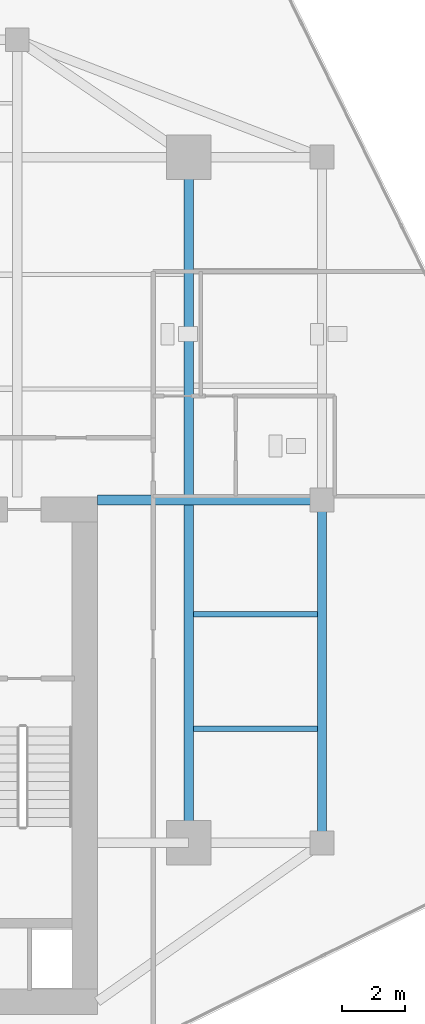
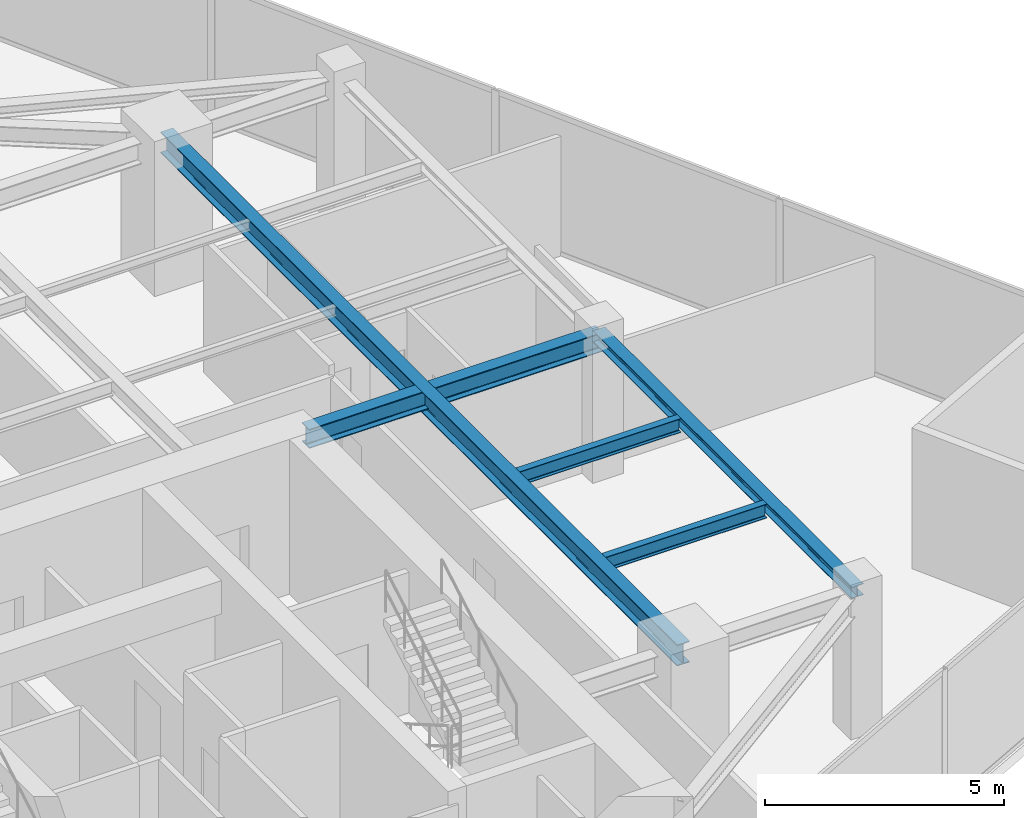
# One storey, part 9 of 22: 5 beams.
"""IFC4 building model written with IfcOpenShell, lengths in metres."""

from ifc_helpers import new_model, si_unit, direction, frame, origin, origin_2d, place, context, subcontext, project, spatial, i_section, extrude, source, transform, mapped, material, material_profile, profile_set, type_object, type_shapes, element, save


model = new_model("IFC4")

# Units and contexts
model_context = context("Model", 3, precision=1e-05, world=origin(), true_north=direction((0.0, 1.0)))
body_context = subcontext(model_context, "Body", "Model", "MODEL_VIEW")
ifc_project = project(units=[si_unit("LENGTHUNIT", "METRE"), si_unit("AREAUNIT", "SQUARE_METRE"), si_unit("VOLUMEUNIT", "CUBIC_METRE"), si_unit("PLANEANGLEUNIT", "RADIAN"), si_unit("MASSUNIT", "GRAM", prefix="KILO")], contexts=[model_context])

# Site, building, storey
site_placement = place(None, origin())
site = spatial("IfcSite", under=ifc_project, at=site_placement, CompositionType="ELEMENT")
building_placement = place(site_placement, origin())
building = spatial("IfcBuilding", under=site, at=building_placement, Name="Krantzveldt Concourse Tower", CompositionType="ELEMENT")
storey_placement = place(building_placement, frame((0.0, 0.0, 314.800048828125)))
storey = spatial("IfcBuildingStorey", under=building, at=storey_placement, Name="L77", CompositionType="ELEMENT", Elevation=314.800048828125)

# Beams
ifc_material = material(Name="Steel S355JR", Category="steel")
ifc_material_profile_1 = material_profile(ifc_material, i_section(OverallWidth=0.300048828125, OverallDepth=0.489990234375, WebThickness=0.011962890625, FlangeThickness=0.02294921875, FilletRadius=0.027099609375, at=origin_2d()), Name="Steel S355JR", Category="steel")
ifc_profile_set_1 = profile_set([ifc_material_profile_1], Name="Steel S355JR - HEA 500")
beam_type_1 = type_object("IfcBeamType", Name="BM-B-HEA500", PredefinedType="BEAM", material=ifc_profile_set_1)
shared_shape_1 = source(origin(), body_context, "Body", "SweptSolid", [
    extrude(i_section(OverallWidth=0.300048828125, OverallDepth=0.489990234375, WebThickness=0.011962890625, FlangeThickness=0.02294921875, FilletRadius=0.027099609375, at=origin_2d()), origin(), (0.0, 0.0, 1.0), 7.080078125),
])
type_shapes(beam_type_1, [shared_shape_1])
beam_1_placement = place(storey_placement, frame((43.919921875, 26.699951171875, 3.344970703125), z_axis=(1.0, 0.0, 0.0), x_axis=(0.0, 1.0, 0.0)))
element("IfcBeam", 1, at=beam_1_placement, inside=storey, type_object=beam_type_1, Name="L77 Tower Girder BG-CE2", PredefinedType="BEAM", context=body_context, shape_type="MappedRepresentation", body=[
    mapped(shared_shape_1, transform((0.0, 0.0, 0.0), x_axis=(1.0, 0.0, 0.0), y_axis=(0.0, 1.0, 0.0), z_axis=(0.0, 0.0, 1.0), scale=1.0)),
])
ifc_material_profile_2 = material_profile(ifc_material, i_section(OverallWidth=0.300048828125, OverallDepth=0.5400390625, WebThickness=0.012451171875, FlangeThickness=0.02392578125, FilletRadius=0.027099609375, at=origin_2d()), Name="Steel S355JR", Category="steel")
ifc_profile_set_2 = profile_set([ifc_material_profile_2], Name="Steel S355JR - HEA 550")
beam_type_2 = type_object("IfcBeamType", Name="BM-B-HEA550", PredefinedType="BEAM", material=ifc_profile_set_2)
shared_shape_2 = source(origin(), body_context, "Body", "SweptSolid", [
    extrude(i_section(OverallWidth=0.300048828125, OverallDepth=0.5400390625, WebThickness=0.012451171875, FlangeThickness=0.02392578125, FilletRadius=0.027099609375, at=origin_2d()), origin(), (0.0, 0.0, 1.0), 21.60009765625),
])
type_shapes(beam_type_2, [shared_shape_2])
beam_2_placement = place(storey_placement, frame((46.800048828125, 15.89990234375, 3.320068359375), z_axis=(0.0, 1.0, 0.0), x_axis=(-1.0, 0.0, 0.0)))
element("IfcBeam", 2, at=beam_2_placement, inside=storey, type_object=beam_type_2, Name="L77 Tower Girder BG-ME", PredefinedType="BEAM", context=body_context, shape_type="MappedRepresentation", body=[
    mapped(shared_shape_2, transform((0.0, 0.0, 0.0), x_axis=(1.0, 0.0, 0.0), y_axis=(0.0, 1.0, 0.0), z_axis=(0.0, 0.0, 1.0), scale=1.0)),
])
ifc_material_profile_3 = material_profile(ifc_material, i_section(OverallWidth=0.2900390625, OverallDepth=0.2900390625, WebThickness=0.008544921875, FlangeThickness=0.013916015625, FilletRadius=0.027099609375, at=origin_2d()), Name="Steel S355JR", Category="steel")
ifc_profile_set_3 = profile_set([ifc_material_profile_3], Name="Steel S355JR - HEA 300")
beam_type_3 = type_object("IfcBeamType", Name="BM-SP-HEA300", PredefinedType="SPANDREL", material=ifc_profile_set_3)
shared_shape_3 = source(origin(), body_context, "Body", "SweptSolid", [
    extrude(i_section(OverallWidth=0.2900390625, OverallDepth=0.2900390625, WebThickness=0.008544921875, FlangeThickness=0.013916015625, FilletRadius=0.027099609375, at=origin_2d()), origin(), (0.0, 0.0, 1.0), 10.800048828125),
])
type_shapes(beam_type_3, [shared_shape_3])
beam_3_placement = place(storey_placement, frame((51.0, 26.699951171875, 3.445068359375), z_axis=(0.0, -1.0, 0.0), x_axis=(1.0, 0.0, 0.0)))
element("IfcBeam", 3, at=beam_3_placement, inside=storey, type_object=beam_type_3, Name="L77 Tower Girder SP-R07", PredefinedType="SPANDREL", context=body_context, shape_type="MappedRepresentation", body=[
    mapped(shared_shape_3, transform((0.0, 0.0, 0.0), x_axis=(1.0, 0.0, 0.0), y_axis=(0.0, 1.0, 0.0), z_axis=(0.0, 0.0, 1.0), scale=1.0)),
])
ifc_material_profile_4 = material_profile(ifc_material, i_section(OverallWidth=0.169921875, OverallDepth=0.360107421875, WebThickness=0.008056640625, FlangeThickness=0.0126953125, FilletRadius=0.01806640625, at=origin_2d()), Name="Steel S355JR", Category="steel")
ifc_profile_set_4 = profile_set([ifc_material_profile_4], Name="Steel S355JR - IPE 360")
beam_type_4 = type_object("IfcBeamType", Name="BM-J-IPE360", PredefinedType="JOIST", material=ifc_profile_set_4)
shared_shape_4 = source(origin(), body_context, "Body", "SweptSolid", [
    extrude(i_section(OverallWidth=0.169921875, OverallDepth=0.360107421875, WebThickness=0.008056640625, FlangeThickness=0.0126953125, FilletRadius=0.01806640625, at=origin_2d()), origin(), (0.0, 0.0, 1.0), 3.900146484375),
])
type_shapes(beam_type_4, [shared_shape_4])
for number, where, z_axis, x_axis, name in (
    (4, (46.949951171875, 19.5, 3.409912109375), (1.0, 0.0, 0.0), (0.0, 1.0, 0.0), "L77 Secondary Floor Joist JE-1"),
    (5, (46.949951171875, 23.10009765625, 3.409912109375), (1.0, 0.0, 0.0), (0.0, 1.0, 0.0), "L77 Secondary Floor Joist JE-2"),
):
    element("IfcBeam", number, at=place(storey_placement, frame(where, z_axis=z_axis, x_axis=x_axis)), inside=storey, type_object=beam_type_4, Name=name, PredefinedType="JOIST", context=body_context, shape_type="MappedRepresentation", body=[
        mapped(shared_shape_4, transform((0.0, 0.0, 0.0), x_axis=(1.0, 0.0, 0.0), y_axis=(0.0, 1.0, 0.0), z_axis=(0.0, 0.0, 1.0), scale=1.0)),
    ])

save(model, "model.ifc")
